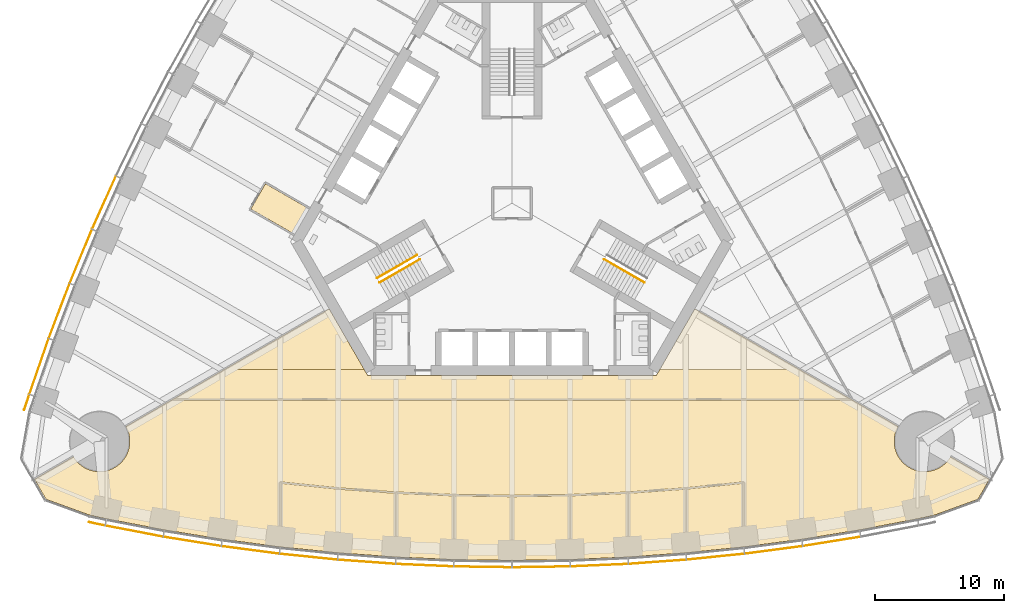
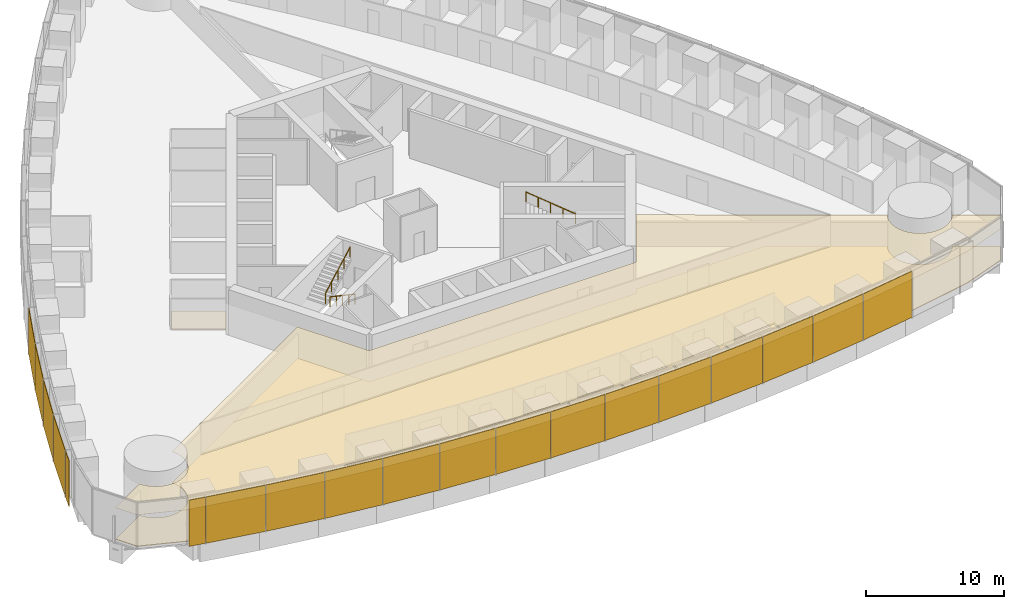
# One storey, part 14 of 18: 19 shading devices, 12 coverings, 3 railings.
"""IFC4 building model written with IfcOpenShell, lengths in metres."""

from ifc_helpers import new_model, si_unit, direction, frame, origin, origin_2d, place, context, subcontext, project, spatial, polyline, rectangle, circle, outline, extrude, material, layer, layer_set, type_object, element, save


model = new_model("IFC4")

# Units and contexts
model_context = context("Model", 3, precision=1e-05, world=origin(), true_north=direction((0.0, 1.0)))
body_context = subcontext(model_context, "Body", "Model", "MODEL_VIEW")
ifc_project = project(units=[si_unit("LENGTHUNIT", "METRE"), si_unit("AREAUNIT", "SQUARE_METRE"), si_unit("VOLUMEUNIT", "CUBIC_METRE"), si_unit("PLANEANGLEUNIT", "RADIAN"), si_unit("MASSUNIT", "GRAM", prefix="KILO")], contexts=[model_context])

# Site, building, storey
site_placement = place(None, origin())
site = spatial("IfcSite", under=ifc_project, at=site_placement, CompositionType="ELEMENT")
building_placement = place(site_placement, origin())
building = spatial("IfcBuilding", under=site, at=building_placement, Name="Trefoil Bronze Tower", CompositionType="ELEMENT")
storey_placement = place(building_placement, frame((0.0, 0.0, 62.699951171875)))
storey = spatial("IfcBuildingStorey", under=building, at=storey_placement, Name="L14", CompositionType="ELEMENT", Elevation=62.699951171875)

# Shading devices
ifc_material_1 = material(Name="Perforated bronze sheet", Category="bronze")
ifc_layer_1 = layer(ifc_material_1, 0.0400390625)
ifc_layer_set_1 = layer_set([ifc_layer_1], Name="Bronze solar screen panel")
shading_device_type = type_object("IfcShadingDeviceType", Name="Bronze solar screen panel", PredefinedType="SHUTTER", material=ifc_layer_set_1)
shading_device_1_placement = place(storey_placement, frame((-32.2431640625, -24.91064453125, 0.050048828125), z_axis=(0.0, 0.0, 1.0), x_axis=(0.978302717041, -0.207180582657, 0.0)))
element("IfcShadingDevice", 1, at=shading_device_1_placement, inside=storey, type_object=shading_device_type, Name="Solar screen CW-A L14 F1 bay 1", PredefinedType="SHUTTER", context=body_context, shape_type="SweptSolid", body=[
    extrude(rectangle(XDim=1.260498046875, YDim=0.0400390625, at=origin_2d()), origin(), (0.0, 0.0, 1.0), 4.10009765625),
])
shading_device_2_placement = place(storey_placement, frame((-29.351806640625, -25.478515625, 0.050048828125), z_axis=(0.0, 0.0, 1.0), x_axis=(0.982049823817, -0.188621694249, 0.0)))
element("IfcShadingDevice", 2, at=shading_device_2_placement, inside=storey, type_object=shading_device_type, Name="Solar screen CW-A L14 F1 bay 2", PredefinedType="SHUTTER", context=body_context, shape_type="SweptSolid", body=[
    extrude(rectangle(XDim=4.55224609375, YDim=0.0400390625, at=origin_2d()), origin(), (0.0, 0.0, 1.0), 4.10009765625),
])
shading_device_3_placement = place(storey_placement, frame((-24.836181640625, -26.277099609375, 0.050048828125), z_axis=(0.0, 0.0, 1.0), x_axis=(0.987181315145, -0.159602791421, 0.0)))
element("IfcShadingDevice", 3, at=shading_device_3_placement, inside=storey, type_object=shading_device_type, Name="Solar screen CW-A L14 F1 bay 3", PredefinedType="SHUTTER", context=body_context, shape_type="SweptSolid", body=[
    extrude(rectangle(XDim=4.5283203125, YDim=0.0400390625, at=origin_2d()), origin(), (0.0, 0.0, 1.0), 4.10009765625),
])
shading_device_4_placement = place(storey_placement, frame((-20.320556640625, -26.939697265625, 0.050048828125), z_axis=(0.0, 0.0, 1.0), x_axis=(0.991437251591, -0.130583981243, 0.0)))
element("IfcShadingDevice", 4, at=shading_device_4_placement, inside=storey, type_object=shading_device_type, Name="Solar screen CW-A L14 F1 bay 4", PredefinedType="SHUTTER", context=body_context, shape_type="SweptSolid", body=[
    extrude(rectangle(XDim=4.5087890625, YDim=0.0400390625, at=origin_2d()), origin(), (0.0, 0.0, 1.0), 4.10009765625),
])
shading_device_5_placement = place(storey_placement, frame((-15.804931640625, -27.467529296875, 0.050048828125), z_axis=(0.0, 0.0, 1.0), x_axis=(0.994828880293, -0.101565244717, 0.0)))
element("IfcShadingDevice", 5, at=shading_device_5_placement, inside=storey, type_object=shading_device_type, Name="Solar screen CW-A L14 F1 bay 5", PredefinedType="SHUTTER", context=body_context, shape_type="SweptSolid", body=[
    extrude(rectangle(XDim=4.493408203125, YDim=0.0400390625, at=origin_2d()), origin(), (0.0, 0.0, 1.0), 4.10009765625),
])
shading_device_6_placement = place(storey_placement, frame((-11.2890625, -27.8623046875, 0.050048828125), z_axis=(0.0, 0.0, 1.0), x_axis=(0.99736502647, -0.072546564177, 0.0)))
element("IfcShadingDevice", 6, at=shading_device_6_placement, inside=storey, type_object=shading_device_type, Name="Solar screen CW-A L14 F1 bay 6", PredefinedType="SHUTTER", context=body_context, shape_type="SweptSolid", body=[
    extrude(rectangle(XDim=4.48193359375, YDim=0.0400390625, at=origin_2d()), origin(), (0.0, 0.0, 1.0), 4.10009765625),
])
shading_device_7_placement = place(storey_placement, frame((-6.7734375, -28.124755859375, 0.050048828125), z_axis=(0.0, 0.0, 1.0), x_axis=(0.999052210809, -0.043527922969, 0.0)))
element("IfcShadingDevice", 7, at=shading_device_7_placement, inside=storey, type_object=shading_device_type, Name="Solar screen CW-A L14 F1 bay 7", PredefinedType="SHUTTER", context=body_context, shape_type="SweptSolid", body=[
    extrude(rectangle(XDim=4.474365234375, YDim=0.0400390625, at=origin_2d()), origin(), (0.0, 0.0, 1.0), 4.10009765625),
])
for number, where, z_axis, x_axis, name in (
    (8, (-2.2578125, -28.256103515625, 0.050048828125), (0.0, 0.0, 1.0), (0.999894734493, -0.014509305083, 0.0), "Solar screen CW-A L14 F1 bay 8"),
    (9, (2.2578125, -28.256103515625, 0.050048828125), (0.0, 0.0, 1.0), (0.999894734493, 0.014509305083, 0.0), "Solar screen CW-A L14 F1 bay 9"),
):
    element("IfcShadingDevice", number, at=place(storey_placement, frame(where, z_axis=z_axis, x_axis=x_axis)), inside=storey, type_object=shading_device_type, Name=name, PredefinedType="SHUTTER", context=body_context, shape_type="SweptSolid", body=[
        extrude(rectangle(XDim=4.470458984375, YDim=0.0400390625, at=origin_2d()), origin(), (0.0, 0.0, 1.0), 4.10009765625),
    ])
shading_device_8_placement = place(storey_placement, frame((6.7734375, -28.124755859375, 0.050048828125), z_axis=(0.0, 0.0, 1.0), x_axis=(0.999052210809, 0.043527922969, 0.0)))
element("IfcShadingDevice", 10, at=shading_device_8_placement, inside=storey, type_object=shading_device_type, Name="Solar screen CW-A L14 F1 bay 10", PredefinedType="SHUTTER", context=body_context, shape_type="SweptSolid", body=[
    extrude(rectangle(XDim=4.474365234375, YDim=0.0400390625, at=origin_2d()), origin(), (0.0, 0.0, 1.0), 4.10009765625),
])
shading_device_9_placement = place(storey_placement, frame((11.2890625, -27.8623046875, 0.050048828125), z_axis=(0.0, 0.0, 1.0), x_axis=(0.99736502647, 0.072546564177, 0.0)))
element("IfcShadingDevice", 11, at=shading_device_9_placement, inside=storey, type_object=shading_device_type, Name="Solar screen CW-A L14 F1 bay 11", PredefinedType="SHUTTER", context=body_context, shape_type="SweptSolid", body=[
    extrude(rectangle(XDim=4.48193359375, YDim=0.0400390625, at=origin_2d()), origin(), (0.0, 0.0, 1.0), 4.10009765625),
])
shading_device_10_placement = place(storey_placement, frame((15.804931640625, -27.467529296875, 0.050048828125), z_axis=(0.0, 0.0, 1.0), x_axis=(0.994828880293, 0.101565244717, 0.0)))
element("IfcShadingDevice", 12, at=shading_device_10_placement, inside=storey, type_object=shading_device_type, Name="Solar screen CW-A L14 F1 bay 12", PredefinedType="SHUTTER", context=body_context, shape_type="SweptSolid", body=[
    extrude(rectangle(XDim=4.493408203125, YDim=0.0400390625, at=origin_2d()), origin(), (0.0, 0.0, 1.0), 4.10009765625),
])
shading_device_11_placement = place(storey_placement, frame((20.320556640625, -26.939697265625, 0.050048828125), z_axis=(0.0, 0.0, 1.0), x_axis=(0.991437251591, 0.130583981243, 0.0)))
element("IfcShadingDevice", 13, at=shading_device_11_placement, inside=storey, type_object=shading_device_type, Name="Solar screen CW-A L14 F1 bay 13", PredefinedType="SHUTTER", context=body_context, shape_type="SweptSolid", body=[
    extrude(rectangle(XDim=4.5087890625, YDim=0.0400390625, at=origin_2d()), origin(), (0.0, 0.0, 1.0), 4.10009765625),
])
shading_device_12_placement = place(storey_placement, frame((24.836181640625, -26.277099609375, 0.050048828125), z_axis=(0.0, 0.0, 1.0), x_axis=(0.987181315145, 0.159602791421, 0.0)))
element("IfcShadingDevice", 14, at=shading_device_12_placement, inside=storey, type_object=shading_device_type, Name="Solar screen CW-A L14 F1 bay 14", PredefinedType="SHUTTER", context=body_context, shape_type="SweptSolid", body=[
    extrude(rectangle(XDim=4.5283203125, YDim=0.0400390625, at=origin_2d()), origin(), (0.0, 0.0, 1.0), 4.10009765625),
])
shading_device_13_placement = place(storey_placement, frame((-31.68994140625, 0.04638671875, 0.050048828125), z_axis=(0.0, 0.0, 1.0), x_axis=(-0.40945635808, -0.912329705111, 0.0)))
element("IfcShadingDevice", 15, at=shading_device_13_placement, inside=storey, type_object=shading_device_type, Name="Solar screen CW-A L14 F3 bay 12", PredefinedType="SHUTTER", context=body_context, shape_type="SweptSolid", body=[
    extrude(rectangle(XDim=4.493408203125, YDim=0.0400390625, at=origin_2d()), origin(), (0.0, 0.0, 1.0), 4.10009765625),
])
shading_device_14_placement = place(storey_placement, frame((-33.49072265625, -4.128173828125, 0.050048828125), z_axis=(0.0, 0.0, 1.0), x_axis=(-0.382629580712, -0.923901836758, 0.0)))
element("IfcShadingDevice", 16, at=shading_device_14_placement, inside=storey, type_object=shading_device_type, Name="Solar screen CW-A L14 F3 bay 13", PredefinedType="SHUTTER", context=body_context, shape_type="SweptSolid", body=[
    extrude(rectangle(XDim=4.5087890625, YDim=0.0400390625, at=origin_2d()), origin(), (0.0, 0.0, 1.0), 4.10009765625),
])
shading_device_15_placement = place(storey_placement, frame((-35.1748046875, -8.3701171875, 0.050048828125), z_axis=(0.0, 0.0, 1.0), x_axis=(-0.355370585687, -0.934725492767, 0.0)))
element("IfcShadingDevice", 17, at=shading_device_15_placement, inside=storey, type_object=shading_device_type, Name="Solar screen CW-A L14 F3 bay 14", PredefinedType="SHUTTER", context=body_context, shape_type="SweptSolid", body=[
    extrude(rectangle(XDim=4.5283203125, YDim=0.0400390625, at=origin_2d()), origin(), (0.0, 0.0, 1.0), 4.10009765625),
])
shading_device_16_placement = place(storey_placement, frame((-36.740966796875, -12.68017578125, 0.050048828125), z_axis=(0.0, 0.0, 1.0), x_axis=(-0.327673732984, -0.944790942332, 0.0)))
element("IfcShadingDevice", 18, at=shading_device_16_placement, inside=storey, type_object=shading_device_type, Name="Solar screen CW-A L14 F3 bay 15", PredefinedType="SHUTTER", context=body_context, shape_type="SweptSolid", body=[
    extrude(rectangle(XDim=4.55224609375, YDim=0.0400390625, at=origin_2d()), origin(), (0.0, 0.0, 1.0), 4.10009765625),
])
shading_device_17_placement = place(storey_placement, frame((-37.69482421875, -15.468017578125, 0.050048828125), z_axis=(0.0, 0.0, 1.0), x_axis=(-0.309727710769, -0.950825296877, 0.0)))
element("IfcShadingDevice", 19, at=shading_device_17_placement, inside=storey, type_object=shading_device_type, Name="Solar screen CW-A L14 F3 bay 16", PredefinedType="SHUTTER", context=body_context, shape_type="SweptSolid", body=[
    extrude(rectangle(XDim=1.260498046875, YDim=0.0400390625, at=origin_2d()), origin(), (0.0, 0.0, 1.0), 4.10009765625),
])

# Railings
ifc_material_2 = material(Name="Steel handrail", Category="steel")
railing_type = type_object("IfcRailingType", Name="Handrail 900", PredefinedType="HANDRAIL", material=ifc_material_2)
railing_1_placement = place(storey_placement, frame((10.28369140625, -6.168212890625, 2.261474609375)))
element("IfcRailing", 20, at=railing_1_placement, inside=storey, type_object=railing_type, Name="Handrail ST1 flight 2 L14", PredefinedType="HANDRAIL", context=body_context, shape_type="SweptSolid", body=[
    extrude(circle(Radius=0.02392578125, at=origin_2d()), frame((0.0, 0.0, 0.8759765625), z_axis=(-0.76250339821, 0.440245697338, 0.474101564745), x_axis=(-0.500012057535, -0.866018442252, 0.0)), (0.0, 0.0, 1.0), 4.088623046875),
    extrude(circle(Radius=0.02099609375, at=origin_2d()), origin(), (0.0, 0.0, 1.0), 0.851806640625),
    extrude(circle(Radius=0.02099609375, at=origin_2d()), frame((-0.779296875, 0.449951171875, 0.484619140625)), (0.0, 0.0, 1.0), 0.851806640625),
    extrude(circle(Radius=0.02099609375, at=origin_2d()), frame((-1.558837890625, 0.89990234375, 0.96923828125)), (0.0, 0.0, 1.0), 0.851806640625),
    extrude(circle(Radius=0.02099609375, at=origin_2d()), frame((-2.33837890625, 1.35009765625, 1.453857421875)), (0.0, 0.0, 1.0), 0.851806640625),
    extrude(circle(Radius=0.02099609375, at=origin_2d()), frame((-3.11767578125, 1.800048828125, 1.9384765625)), (0.0, 0.0, 1.0), 0.851806640625),
])
railing_2_placement = place(storey_placement, frame((-7.166015625, -4.3681640625, 0.16162109375)))
element("IfcRailing", 21, at=railing_2_placement, inside=storey, type_object=railing_type, Name="Handrail ST3 flight 1 L14", PredefinedType="HANDRAIL", context=body_context, shape_type="SweptSolid", body=[
    extrude(circle(Radius=0.02392578125, at=origin_2d()), frame((0.0, 0.0, 0.8759765625), z_axis=(-0.76250339821, -0.440245697338, 0.474101564745), x_axis=(0.500012057535, -0.866018442252, 0.0)), (0.0, 0.0, 1.0), 4.088623046875),
    extrude(circle(Radius=0.02099609375, at=origin_2d()), origin(), (0.0, 0.0, 1.0), 0.851806640625),
    extrude(circle(Radius=0.02099609375, at=origin_2d()), frame((-0.779296875, -0.449951171875, 0.484619140625)), (0.0, 0.0, 1.0), 0.851806640625),
    extrude(circle(Radius=0.02099609375, at=origin_2d()), frame((-1.558837890625, -0.89990234375, 0.96923828125)), (0.0, 0.0, 1.0), 0.851806640625),
    extrude(circle(Radius=0.02099609375, at=origin_2d()), frame((-2.33837890625, -1.35009765625, 1.453857421875)), (0.0, 0.0, 1.0), 0.851806640625),
    extrude(circle(Radius=0.02099609375, at=origin_2d()), frame((-3.11767578125, -1.800048828125, 1.9384765625)), (0.0, 0.0, 1.0), 0.851806640625),
])
railing_3_placement = place(storey_placement, frame((-10.483642578125, -5.82177734375, 2.261474609375)))
element("IfcRailing", 22, at=railing_3_placement, inside=storey, type_object=railing_type, Name="Handrail ST3 flight 2 L14", PredefinedType="HANDRAIL", context=body_context, shape_type="SweptSolid", body=[
    extrude(circle(Radius=0.02392578125, at=origin_2d()), frame((0.0, 0.0, 0.8759765625), z_axis=(0.76250339821, 0.440245697338, 0.474101564745), x_axis=(-0.500012057535, 0.866018442252, 0.0)), (0.0, 0.0, 1.0), 4.088623046875),
    extrude(circle(Radius=0.02099609375, at=origin_2d()), origin(), (0.0, 0.0, 1.0), 0.851806640625),
    extrude(circle(Radius=0.02099609375, at=origin_2d()), frame((0.779296875, 0.449951171875, 0.484619140625)), (0.0, 0.0, 1.0), 0.851806640625),
    extrude(circle(Radius=0.02099609375, at=origin_2d()), frame((1.558837890625, 0.89990234375, 0.96923828125)), (0.0, 0.0, 1.0), 0.851806640625),
    extrude(circle(Radius=0.02099609375, at=origin_2d()), frame((2.33837890625, 1.35009765625, 1.453857421875)), (0.0, 0.0, 1.0), 0.851806640625),
    extrude(circle(Radius=0.02099609375, at=origin_2d()), frame((3.11767578125, 1.800048828125, 1.9384765625)), (0.0, 0.0, 1.0), 0.851806640625),
])

# Coverings
ifc_material_3 = material(Name="Acoustic ceiling panels", Category="mineral fibre")
ifc_layer_2 = layer(ifc_material_3, 0.02001953125)
ifc_layer_set_2 = layer_set([ifc_layer_2], Name="Office ceiling 20")
covering_type_1 = type_object("IfcCoveringType", Name="Office ceiling 20", PredefinedType="CEILING", material=ifc_layer_set_2)
covering_1_placement = place(storey_placement, frame((0.0, 0.0, 2.900146484375)))
element("IfcCovering", 23, at=covering_1_placement, inside=storey, type_object=covering_type_1, Name="Ceiling L14 Open-plan office F1", PredefinedType="CEILING", context=body_context, shape_type="SweptSolid", body=[
    extrude(outline(polyline([(-33.996826171875, -19.8056640625), (-33.930419921875, -19.89990234375), (-33.859619140625, -19.99072265625), (-33.7841796875, -20.078125), (-33.70458984375, -20.16162109375), (-33.62109375, -20.2412109375), (-33.53369140625, -20.316650390625), (-33.44287109375, -20.387451171875), (-33.348388671875, -20.4541015625), (-33.251220703125, -20.515625), (-33.150634765625, -20.572509765625), (-33.047607421875, -20.62451171875), (-32.942138671875, -20.671142578125), (-32.834716796875, -20.712646484375), (-32.72509765625, -20.748779296875), (-32.614013671875, -20.779541015625), (-32.50146484375, -20.8046875), (-32.3876953125, -20.82470703125), (-32.273193359375, -20.838623046875), (-32.158203125, -20.84716796875), (-32.04296875, -20.85009765625), (-31.927490234375, -20.84716796875), (-31.8125, -20.838623046875), (-31.697998046875, -20.82470703125), (-31.58447265625, -20.8046875), (-31.471923828125, -20.779541015625), (-31.36083984375, -20.748779296875), (-31.251220703125, -20.712646484375), (-31.1435546875, -20.671142578125), (-31.0380859375, -20.62451171875), (-30.935302734375, -20.572509765625), (-30.834716796875, -20.515625), (-30.7373046875, -20.4541015625), (-30.64306640625, -20.387451171875), (-30.552001953125, -20.316650390625), (-30.46484375, -20.2412109375), (-30.381103515625, -20.16162109375), (-30.3017578125, -20.078125), (-30.226318359375, -19.99072265625), (-30.155517578125, -19.89990234375), (-30.089111328125, -19.8056640625), (-30.02734375, -19.7080078125), (-29.970458984375, -19.60791015625), (-29.918701171875, -19.5048828125), (-29.871826171875, -19.3994140625), (-29.830322265625, -19.291748046875), (-29.794189453125, -19.18212890625), (-29.763427734375, -19.071044921875), (-29.738037109375, -18.95849609375), (-29.718505859375, -18.8447265625), (-29.704345703125, -18.730224609375), (-29.69580078125, -18.615234375), (-29.69287109375, -18.5), (-29.69580078125, -18.384765625), (-29.704345703125, -18.269775390625), (-29.718505859375, -18.1552734375), (-29.738037109375, -18.04150390625), (-29.763427734375, -17.928955078125), (-29.794189453125, -17.81787109375), (-29.830322265625, -17.708251953125), (-29.871826171875, -17.6005859375), (-29.918701171875, -17.4951171875), (-29.970458984375, -17.39208984375), (-30.001953125, -17.336669921875), (-14.19970703125, -8.205322265625), (-11.20068359375, -13.39990234375), (11.20068359375, -13.39990234375), (14.19970703125, -8.205322265625), (30.001953125, -17.336669921875), (29.970458984375, -17.39208984375), (29.918701171875, -17.4951171875), (29.871826171875, -17.6005859375), (29.830322265625, -17.708251953125), (29.794189453125, -17.81787109375), (29.763427734375, -17.928955078125), (29.738037109375, -18.04150390625), (29.718505859375, -18.1552734375), (29.704345703125, -18.269775390625), (29.69580078125, -18.384765625), (29.69287109375, -18.5), (29.69580078125, -18.615234375), (29.704345703125, -18.730224609375), (29.718505859375, -18.8447265625), (29.738037109375, -18.95849609375), (29.763427734375, -19.071044921875), (29.794189453125, -19.18212890625), (29.830322265625, -19.291748046875), (29.871826171875, -19.3994140625), (29.918701171875, -19.5048828125), (29.970458984375, -19.60791015625), (30.02734375, -19.7080078125), (30.089111328125, -19.8056640625), (30.155517578125, -19.89990234375), (30.226318359375, -19.99072265625), (30.3017578125, -20.078125), (30.381103515625, -20.16162109375), (30.46484375, -20.2412109375), (30.552001953125, -20.316650390625), (30.64306640625, -20.387451171875), (30.7373046875, -20.4541015625), (30.834716796875, -20.515625), (30.935302734375, -20.572509765625), (31.0380859375, -20.62451171875), (31.1435546875, -20.671142578125), (31.251220703125, -20.712646484375), (31.36083984375, -20.748779296875), (31.471923828125, -20.779541015625), (31.58447265625, -20.8046875), (31.697998046875, -20.82470703125), (31.8125, -20.838623046875), (31.927490234375, -20.84716796875), (32.04296875, -20.85009765625), (32.158203125, -20.84716796875), (32.273193359375, -20.838623046875), (32.3876953125, -20.82470703125), (32.50146484375, -20.8046875), (32.614013671875, -20.779541015625), (32.72509765625, -20.748779296875), (32.834716796875, -20.712646484375), (32.942138671875, -20.671142578125), (33.047607421875, -20.62451171875), (33.150634765625, -20.572509765625), (33.251220703125, -20.515625), (33.348388671875, -20.4541015625), (33.44287109375, -20.387451171875), (33.53369140625, -20.316650390625), (33.62109375, -20.2412109375), (33.70458984375, -20.16162109375), (33.7841796875, -20.078125), (33.859619140625, -19.99072265625), (33.930419921875, -19.89990234375), (33.996826171875, -19.8056640625), (34.0703125, -19.6875), (37.094482421875, -21.43505859375), (36.190673828125, -23.0009765625), (32.762451171875, -24.248779296875), (31.5, -24.51611328125), (27.0, -25.38037109375), (22.5, -26.10791015625), (18.0, -26.70068359375), (13.5, -27.159912109375), (9.0, -27.4873046875), (4.5, -27.683349609375), (0.0, -27.748779296875), (-4.5, -27.683349609375), (-9.0, -27.4873046875), (-13.5, -27.159912109375), (-18.0, -26.70068359375), (-22.5, -26.10791015625), (-27.0, -25.38037109375), (-31.5, -24.51611328125), (-32.762451171875, -24.248779296875), (-36.190673828125, -23.0009765625), (-37.094482421875, -21.43505859375), (-34.0703125, -19.6875), (-33.996826171875, -19.8056640625)])), origin(), (0.0, 0.0, 1.0), 0.02001953125),
])
ifc_material_4 = material(Name="Raised access floor panels", Category="steel")
ifc_layer_3 = layer(ifc_material_4, 0.050048828125)
ifc_layer_set_3 = layer_set([ifc_layer_3], Name="Raised access floor 150")
covering_type_2 = type_object("IfcCoveringType", Name="Raised access floor 150", PredefinedType="FLOORING", material=ifc_layer_set_3)
covering_2_placement = place(storey_placement, frame((0.0, 0.0, 0.10009765625)))
element("IfcCovering", 24, at=covering_2_placement, inside=storey, type_object=covering_type_2, Name="Raised floor L14 Kitchen and breakout F1", PredefinedType="FLOORING", context=body_context, shape_type="SweptSolid", body=[
    extrude(outline(polyline([(-13.5, -27.159912109375), (-18.0, -26.70068359375), (-18.0, -25.0595703125), (-17.93994140625, -25.0595703125), (-17.93994140625, -21.76708984375), (-13.506103515625, -22.2197265625), (-13.5, -22.159912109375), (-13.50439453125, -22.219970703125), (-9.06005859375, -22.543212890625), (-9.06005859375, -25.8544921875), (-9.0, -25.8544921875), (-9.0, -27.4873046875), (-13.5, -27.159912109375)])), origin(), (0.0, 0.0, 1.0), 0.050048828125),
])
covering_3_placement = place(storey_placement, frame((0.0, 0.0, 0.10009765625)))
element("IfcCovering", 25, at=covering_3_placement, inside=storey, type_object=covering_type_2, Name="Raised floor L14 Office F1", PredefinedType="FLOORING", context=body_context, shape_type="SweptSolid", body=[
    extrude(outline(polyline([(-4.5, -27.683349609375), (-9.0, -27.4873046875), (-9.0, -25.8544921875), (-8.93994140625, -25.8544921875), (-8.93994140625, -22.550048828125), (-4.56005859375, -22.740966796875), (-4.56005859375, -26.052734375), (-4.5, -26.052734375), (-4.5, -27.683349609375)])), origin(), (0.0, 0.0, 1.0), 0.050048828125),
])
covering_4_placement = place(storey_placement, frame((0.0, 0.0, 0.10009765625)))
element("IfcCovering", 26, at=covering_4_placement, inside=storey, type_object=covering_type_2, Name="Raised floor L14 Office F1", PredefinedType="FLOORING", context=body_context, shape_type="SweptSolid", body=[
    extrude(outline(polyline([(0.0, -27.748779296875), (-4.5, -27.683349609375), (-4.5, -26.052734375), (-4.43994140625, -26.052734375), (-4.43994140625, -22.744384765625), (-0.06005859375, -22.807861328125), (-0.06005859375, -26.11865234375), (0.0, -26.11865234375), (0.0, -27.748779296875)])), origin(), (0.0, 0.0, 1.0), 0.050048828125),
])
covering_5_placement = place(storey_placement, frame((0.0, 0.0, 0.10009765625)))
element("IfcCovering", 27, at=covering_5_placement, inside=storey, type_object=covering_type_2, Name="Raised floor L14 Meeting room F1", PredefinedType="FLOORING", context=body_context, shape_type="SweptSolid", body=[
    extrude(outline(polyline([(4.5, -27.683349609375), (0.0, -27.748779296875), (0.0, -26.11865234375), (0.06005859375, -26.11865234375), (0.06005859375, -22.807861328125), (4.43994140625, -22.744384765625), (4.43994140625, -26.052734375), (4.5, -26.052734375), (4.5, -27.683349609375)])), origin(), (0.0, 0.0, 1.0), 0.050048828125),
])
covering_6_placement = place(storey_placement, frame((0.0, 0.0, 0.10009765625)))
element("IfcCovering", 28, at=covering_6_placement, inside=storey, type_object=covering_type_2, Name="Raised floor L14 Meeting room F1", PredefinedType="FLOORING", context=body_context, shape_type="SweptSolid", body=[
    extrude(outline(polyline([(9.0, -27.4873046875), (4.5, -27.683349609375), (4.5, -26.052734375), (4.56005859375, -26.052734375), (4.56005859375, -22.740966796875), (8.93994140625, -22.550048828125), (8.93994140625, -25.8544921875), (9.0, -25.8544921875), (9.0, -27.4873046875)])), origin(), (0.0, 0.0, 1.0), 0.050048828125),
])
covering_7_placement = place(storey_placement, frame((0.0, 0.0, 0.10009765625)))
element("IfcCovering", 29, at=covering_7_placement, inside=storey, type_object=covering_type_2, Name="Raised floor L14 Meeting room F1", PredefinedType="FLOORING", context=body_context, shape_type="SweptSolid", body=[
    extrude(outline(polyline([(13.5, -27.159912109375), (9.0, -27.4873046875), (9.0, -25.8544921875), (9.06005859375, -25.8544921875), (9.06005859375, -22.543212890625), (13.43994140625, -22.224609375), (13.43994140625, -25.52392578125), (13.5, -25.52392578125), (13.5, -27.159912109375)])), origin(), (0.0, 0.0, 1.0), 0.050048828125),
])
covering_8_placement = place(storey_placement, frame((0.0, 0.0, 0.10009765625)))
element("IfcCovering", 30, at=covering_8_placement, inside=storey, type_object=covering_type_2, Name="Raised floor L14 Meeting room F1", PredefinedType="FLOORING", context=body_context, shape_type="SweptSolid", body=[
    extrude(outline(polyline([(18.0, -26.70068359375), (13.5, -27.159912109375), (13.5, -25.52392578125), (13.56005859375, -25.52392578125), (13.56005859375, -22.214111328125), (17.93994140625, -21.76708984375), (17.93994140625, -25.0595703125), (18.0, -25.0595703125), (18.0, -26.70068359375)])), origin(), (0.0, 0.0, 1.0), 0.050048828125),
])
covering_9_placement = place(storey_placement, frame((0.0, 0.0, 0.10009765625)))
element("IfcCovering", 31, at=covering_9_placement, inside=storey, type_object=covering_type_2, Name="Raised floor L14 Corridor F1", PredefinedType="FLOORING", context=body_context, shape_type="SweptSolid", body=[
    extrude(outline(polyline([(-26.304443359375, -15.199951171875), (-22.32421875, -12.89990234375), (-11.4892578125, -12.89990234375), (-11.20068359375, -13.39990234375), (11.20068359375, -13.39990234375), (11.4892578125, -12.89990234375), (22.32421875, -12.89990234375), (26.304443359375, -15.199951171875), (-26.304443359375, -15.199951171875)])), origin(), (0.0, 0.0, 1.0), 0.050048828125),
])
covering_10_placement = place(storey_placement, frame((0.0, 0.0, 0.10009765625)))
element("IfcCovering", 32, at=covering_10_placement, inside=storey, type_object=covering_type_2, Name="Raised floor L14 Open-plan office F1", PredefinedType="FLOORING", context=body_context, shape_type="SweptSolid", body=[
    extrude(outline(polyline([(-22.32421875, -12.89990234375), (-14.19970703125, -8.205322265625), (-11.4892578125, -12.89990234375), (-22.32421875, -12.89990234375)])), origin(), (0.0, 0.0, 1.0), 0.050048828125),
])
covering_11_placement = place(storey_placement, frame((0.0, 0.0, 0.10009765625)))
element("IfcCovering", 33, at=covering_11_placement, inside=storey, type_object=covering_type_2, Name="Raised floor L14 Open-plan office F1", PredefinedType="FLOORING", context=body_context, shape_type="SweptSolid", body=[
    extrude(outline(polyline([(-26.398193359375, -15.254150390625), (-26.398193359375, -15.320068359375), (26.398193359375, -15.320068359375), (26.398193359375, -15.254150390625), (30.001953125, -17.336669921875), (29.970458984375, -17.39208984375), (29.918701171875, -17.4951171875), (29.871826171875, -17.6005859375), (29.830322265625, -17.708251953125), (29.794189453125, -17.81787109375), (29.763427734375, -17.928955078125), (29.738037109375, -18.04150390625), (29.718505859375, -18.1552734375), (29.704345703125, -18.269775390625), (29.69580078125, -18.384765625), (29.69287109375, -18.5), (29.69580078125, -18.615234375), (29.704345703125, -18.730224609375), (29.718505859375, -18.8447265625), (29.738037109375, -18.95849609375), (29.763427734375, -19.071044921875), (29.794189453125, -19.18212890625), (29.830322265625, -19.291748046875), (29.871826171875, -19.3994140625), (29.918701171875, -19.5048828125), (29.970458984375, -19.60791015625), (30.02734375, -19.7080078125), (30.089111328125, -19.8056640625), (30.155517578125, -19.89990234375), (30.226318359375, -19.99072265625), (30.3017578125, -20.078125), (30.381103515625, -20.16162109375), (30.46484375, -20.2412109375), (30.552001953125, -20.316650390625), (30.64306640625, -20.387451171875), (30.7373046875, -20.4541015625), (30.834716796875, -20.515625), (30.935302734375, -20.572509765625), (31.0380859375, -20.62451171875), (31.1435546875, -20.671142578125), (31.251220703125, -20.712646484375), (31.36083984375, -20.748779296875), (31.471923828125, -20.779541015625), (31.58447265625, -20.8046875), (31.697998046875, -20.82470703125), (31.8125, -20.838623046875), (31.927490234375, -20.84716796875), (32.04296875, -20.85009765625), (32.158203125, -20.84716796875), (32.273193359375, -20.838623046875), (32.3876953125, -20.82470703125), (32.50146484375, -20.8046875), (32.614013671875, -20.779541015625), (32.72509765625, -20.748779296875), (32.834716796875, -20.712646484375), (32.942138671875, -20.671142578125), (33.047607421875, -20.62451171875), (33.150634765625, -20.572509765625), (33.251220703125, -20.515625), (33.348388671875, -20.4541015625), (33.44287109375, -20.387451171875), (33.53369140625, -20.316650390625), (33.62109375, -20.2412109375), (33.70458984375, -20.16162109375), (33.7841796875, -20.078125), (33.859619140625, -19.99072265625), (33.930419921875, -19.89990234375), (33.996826171875, -19.8056640625), (34.0703125, -19.6875), (37.094482421875, -21.43505859375), (36.190673828125, -23.0009765625), (32.762451171875, -24.248779296875), (31.5, -24.51611328125), (27.0, -25.38037109375), (22.5, -26.10791015625), (18.0, -26.70068359375), (18.0, -25.0595703125), (18.06005859375, -25.0595703125), (18.06005859375, -21.70068359375), (18.0, -21.70068359375), (17.993896484375, -21.640869140625), (13.494873046875, -22.100341796875), (8.99658203125, -22.427490234375), (4.498291015625, -22.623291015625), (0.0, -22.688720703125), (-4.498291015625, -22.623291015625), (-8.99658203125, -22.427490234375), (-13.0986328125, -22.129150390625), (-13.890869140625, -22.059814453125), (-17.993896484375, -21.640869140625), (-18.0, -21.70068359375), (-18.06005859375, -21.70068359375), (-18.06005859375, -25.0595703125), (-18.0, -25.0595703125), (-18.0, -26.70068359375), (-22.5, -26.10791015625), (-27.0, -25.38037109375), (-31.5, -24.51611328125), (-32.762451171875, -24.248779296875), (-36.190673828125, -23.0009765625), (-37.094482421875, -21.43505859375), (-34.0703125, -19.6875), (-33.996826171875, -19.8056640625), (-33.930419921875, -19.89990234375), (-33.859619140625, -19.99072265625), (-33.7841796875, -20.078125), (-33.70458984375, -20.16162109375), (-33.62109375, -20.2412109375), (-33.53369140625, -20.316650390625), (-33.44287109375, -20.387451171875), (-33.348388671875, -20.4541015625), (-33.251220703125, -20.515625), (-33.150634765625, -20.572509765625), (-33.047607421875, -20.62451171875), (-32.942138671875, -20.671142578125), (-32.834716796875, -20.712646484375), (-32.72509765625, -20.748779296875), (-32.614013671875, -20.779541015625), (-32.50146484375, -20.8046875), (-32.3876953125, -20.82470703125), (-32.273193359375, -20.838623046875), (-32.158203125, -20.84716796875), (-32.04296875, -20.85009765625), (-31.927490234375, -20.84716796875), (-31.8125, -20.838623046875), (-31.697998046875, -20.82470703125), (-31.58447265625, -20.8046875), (-31.471923828125, -20.779541015625), (-31.36083984375, -20.748779296875), (-31.251220703125, -20.712646484375), (-31.1435546875, -20.671142578125), (-31.0380859375, -20.62451171875), (-30.935302734375, -20.572509765625), (-30.834716796875, -20.515625), (-30.7373046875, -20.4541015625), (-30.64306640625, -20.387451171875), (-30.552001953125, -20.316650390625), (-30.46484375, -20.2412109375), (-30.381103515625, -20.16162109375), (-30.3017578125, -20.078125), (-30.226318359375, -19.99072265625), (-30.155517578125, -19.89990234375), (-30.089111328125, -19.8056640625), (-30.02734375, -19.7080078125), (-29.970458984375, -19.60791015625), (-29.918701171875, -19.5048828125), (-29.871826171875, -19.3994140625), (-29.830322265625, -19.291748046875), (-29.794189453125, -19.18212890625), (-29.763427734375, -19.071044921875), (-29.738037109375, -18.95849609375), (-29.718505859375, -18.8447265625), (-29.704345703125, -18.730224609375), (-29.69580078125, -18.615234375), (-29.69287109375, -18.5), (-29.69580078125, -18.384765625), (-29.704345703125, -18.269775390625), (-29.718505859375, -18.1552734375), (-29.738037109375, -18.04150390625), (-29.763427734375, -17.928955078125), (-29.794189453125, -17.81787109375), (-29.830322265625, -17.708251953125), (-29.871826171875, -17.6005859375), (-29.918701171875, -17.4951171875), (-29.970458984375, -17.39208984375), (-30.001953125, -17.336669921875), (-26.398193359375, -15.254150390625)])), origin(), (0.0, 0.0, 1.0), 0.050048828125),
])
covering_12_placement = place(storey_placement, frame((0.0, 0.0, 0.10009765625)))
element("IfcCovering", 34, at=covering_12_placement, inside=storey, type_object=covering_type_2, Name="Raised floor L14 Comms room F3", PredefinedType="FLOORING", context=body_context, shape_type="SweptSolid", body=[
    extrude(outline(polyline([(-16.874755859375, -2.427978515625), (-20.286865234375, -0.4580078125), (-19.14697265625, 1.5166015625), (-15.734619140625, -0.453369140625), (-16.874755859375, -2.427978515625)])), origin(), (0.0, 0.0, 1.0), 0.050048828125),
])

save(model, "model.ifc")
